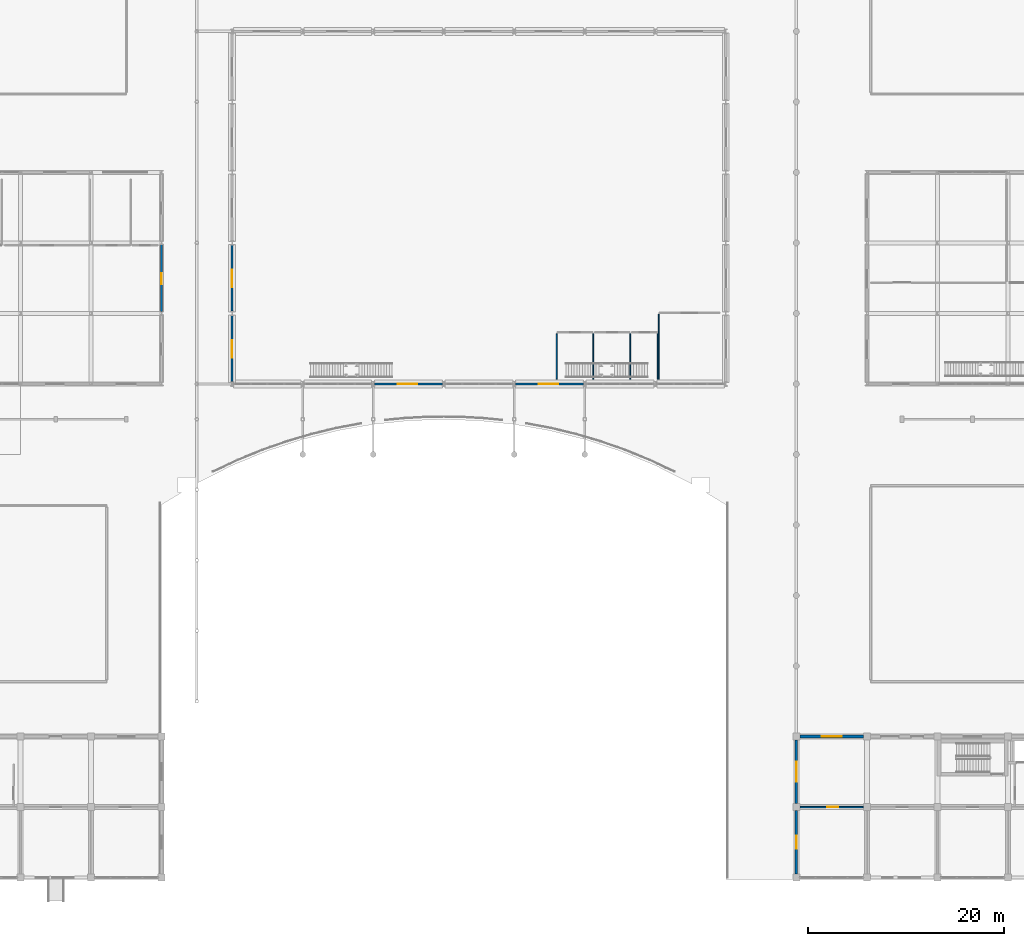
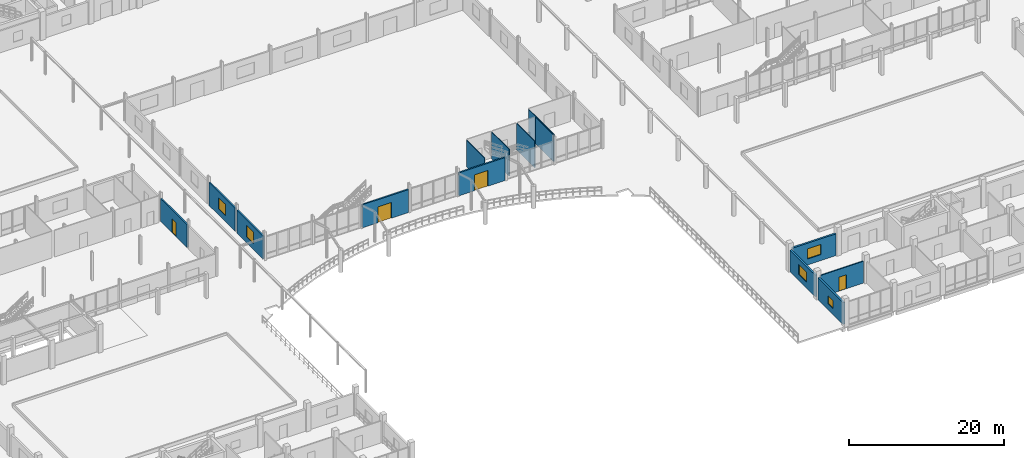
# One storey, part 113 of 139: 14 walls, 5 windows, 4 doors, 9 openings.
"""IFC4 building model written with IfcOpenShell, lengths in metres."""

from ifc_helpers import new_model, si_unit, direction, frame, frame_2d, origin, place, context, subcontext, project, spatial, rectangle, extrude, material, layer, layer_set, type_object, element, fill, save


model = new_model("IFC4")

# Units and contexts
model_context = context("Model", 3, precision=1e-05, world=origin(), true_north=direction((0.0, 1.0)))
body_context = subcontext(model_context, "Body", "Model", "MODEL_VIEW")
ifc_project = project(units=[si_unit("LENGTHUNIT", "METRE"), si_unit("AREAUNIT", "SQUARE_METRE"), si_unit("VOLUMEUNIT", "CUBIC_METRE"), si_unit("PLANEANGLEUNIT", "RADIAN"), si_unit("MASSUNIT", "GRAM", prefix="KILO")], contexts=[model_context])

# Site, building, storey
site_placement = place(None, origin())
site = spatial("IfcSite", under=ifc_project, at=site_placement, CompositionType="ELEMENT")
building_placement = place(site_placement, origin())
building = spatial("IfcBuilding", under=site, at=building_placement, Name="Suanplinth Sawtooth Commons", CompositionType="ELEMENT")
storey_placement = place(building_placement, origin())
storey = spatial("IfcBuildingStorey", under=building, at=storey_placement, Name="L00", CompositionType="ELEMENT", Elevation=0.0)

# Wall, opening, window
ifc_material_1 = material(Name="Precast concrete C40/50", Category="concrete")
ifc_layer_1 = layer(ifc_material_1, 0.280029296875, Name="Insulated precast architectural facade wall 280mm")
ifc_layer_set_1 = layer_set([ifc_layer_1], Name="Precast concrete C40/50")
wall_type_1 = type_object("IfcWallType", Name="W-EX01", PredefinedType="ELEMENTEDWALL", material=ifc_layer_set_1)
wall_1_placement = place(storey_placement, frame((122.39990234375, 0.35009765625, 0.0), z_axis=(0.0, 0.0, 1.0), x_axis=(0.0, 1.0, 0.0)))
wall_1 = element("IfcWall", 1, at=wall_1_placement, inside=storey, type_object=wall_type_1, Name="Facade Wall W-L00-C-W-17-0", PredefinedType="ELEMENTEDWALL", context=body_context, shape_type="SweptSolid", body=[
    extrude(rectangle(XDim=6.5, YDim=0.280029296875, at=frame_2d((3.25, 0.0))), origin(), (0.0, 0.0, 1.0), 3.43505859375),
])
opening_1_placement = place(wall_1_placement, frame((2.60009765625, 0.0, 0.949951171875)))
opening_1 = element("IfcOpeningElement", 2, at=opening_1_placement, cuts=wall_1, Name="Opening W0122", PredefinedType="OPENING", context=body_context, shape_type="SweptSolid", body=[
    extrude(rectangle(XDim=1.300048828125, YDim=1.25, at=frame_2d((0.64990234375, 0.625))), frame((0.0, 0.15478515625, 0.0), z_axis=(0.0, -1.0, 0.0), x_axis=(1.0, 0.0, 0.0)), (0.0, 0.0, 1.0), 0.309814453125),
])
ifc_material_2 = material(Name="Thermally broken aluminium and low-E double glazing", Category="aluminium")
window_type_1 = type_object("IfcWindowType", Name="WN-24", PartitioningType="SINGLE_PANEL", PredefinedType="WINDOW", material=ifc_material_2)
window_1_placement = place(opening_1_placement, origin())
window_1 = element("IfcWindow", 3, at=window_1_placement, inside=storey, type_object=window_type_1, Name="Window L00-C-W-17-0", OverallHeight=1.25, OverallWidth=1.300048828125, PartitioningType="SINGLE_PANEL", PredefinedType="WINDOW", context=body_context, shape_type="SweptSolid", body=[
    extrude(rectangle(XDim=1.300048828125, YDim=1.25, at=frame_2d((0.64990234375, 0.625))), frame((0.0, 0.030029296875, 0.0), z_axis=(0.0, -1.0, 0.0), x_axis=(1.0, 0.0, 0.0)), (0.0, 0.0, 1.0), 0.06005859375),
])
fill(opening_1, window_1)

wall_2_placement = place(storey_placement, frame((122.75, 14.39990234375, 0.0), z_axis=(0.0, 0.0, 1.0), x_axis=(1.0, 0.0, 0.0)))
wall_2 = element("IfcWall", 4, at=wall_2_placement, inside=storey, type_object=wall_type_1, Name="Facade Wall W-L00-C-N-17-1", PredefinedType="ELEMENTEDWALL", context=body_context, shape_type="SweptSolid", body=[
    extrude(rectangle(XDim=6.5, YDim=0.280029296875, at=frame_2d((3.25, 0.0))), origin(), (0.0, 0.0, 1.0), 3.43505859375),
])
opening_2_placement = place(wall_2_placement, frame((2.22509765625, 0.0, 0.949951171875)))
opening_2 = element("IfcOpeningElement", 5, at=opening_2_placement, cuts=wall_2, Name="Opening W0123", PredefinedType="OPENING", context=body_context, shape_type="SweptSolid", body=[
    extrude(rectangle(XDim=2.050048828125, YDim=1.60009765625, at=frame_2d((1.02490234375, 0.800048828125))), frame((0.0, 0.15478515625, 0.0), z_axis=(0.0, -1.0, 0.0), x_axis=(1.0, 0.0, 0.0)), (0.0, 0.0, 1.0), 0.309814453125),
])
window_type_2 = type_object("IfcWindowType", Name="WN-25", PartitioningType="DOUBLE_PANEL_VERTICAL", PredefinedType="WINDOW", material=ifc_material_2)
window_2_placement = place(opening_2_placement, origin())
window_2 = element("IfcWindow", 6, at=window_2_placement, inside=storey, type_object=window_type_2, Name="Window L00-C-N-17-1", OverallHeight=1.60009765625, OverallWidth=2.050048828125, PartitioningType="DOUBLE_PANEL_VERTICAL", PredefinedType="WINDOW", context=body_context, shape_type="SweptSolid", body=[
    extrude(rectangle(XDim=2.050048828125, YDim=1.60009765625, at=frame_2d((1.02490234375, 0.800048828125))), frame((0.0, 0.030029296875, 0.0), z_axis=(0.0, -1.0, 0.0), x_axis=(1.0, 0.0, 0.0)), (0.0, 0.0, 1.0), 0.06005859375),
])
fill(opening_2, window_2)

wall_3_placement = place(storey_placement, frame((122.39990234375, 7.550048828125, 0.0), z_axis=(0.0, 0.0, 1.0), x_axis=(0.0, 1.0, 0.0)))
wall_3 = element("IfcWall", 7, at=wall_3_placement, inside=storey, type_object=wall_type_1, Name="Facade Wall W-L00-C-W-17-1", PredefinedType="ELEMENTEDWALL", context=body_context, shape_type="SweptSolid", body=[
    extrude(rectangle(XDim=6.5, YDim=0.280029296875, at=frame_2d((3.25, 0.0))), origin(), (0.0, 0.0, 1.0), 3.43505859375),
])
opening_3_placement = place(wall_3_placement, frame((2.22509765625, 0.0, 0.949951171875)))
opening_3 = element("IfcOpeningElement", 8, at=opening_3_placement, cuts=wall_3, Name="Opening W0124", PredefinedType="OPENING", context=body_context, shape_type="SweptSolid", body=[
    extrude(rectangle(XDim=2.050048828125, YDim=1.60009765625, at=frame_2d((1.02490234375, 0.800048828125))), frame((0.0, 0.15478515625, 0.0), z_axis=(0.0, -1.0, 0.0), x_axis=(1.0, 0.0, 0.0)), (0.0, 0.0, 1.0), 0.309814453125),
])
window_3_placement = place(opening_3_placement, origin())
window_3 = element("IfcWindow", 9, at=window_3_placement, inside=storey, type_object=window_type_2, Name="Window L00-C-W-17-1", OverallHeight=1.60009765625, OverallWidth=2.050048828125, PartitioningType="DOUBLE_PANEL_VERTICAL", PredefinedType="WINDOW", context=body_context, shape_type="SweptSolid", body=[
    extrude(rectangle(XDim=2.050048828125, YDim=1.60009765625, at=frame_2d((1.02490234375, 0.800048828125))), frame((0.0, 0.030029296875, 0.0), z_axis=(0.0, -1.0, 0.0), x_axis=(1.0, 0.0, 0.0)), (0.0, 0.0, 1.0), 0.06005859375),
])
fill(opening_3, window_3)

# Wall, opening, door
ifc_layer_2 = layer(ifc_material_1, 0.219970703125, Name="Civic pavilion insulated facade wall 220mm")
ifc_layer_set_2 = layer_set([ifc_layer_2], Name="Precast concrete C40/50")
wall_type_2 = type_object("IfcWallType", Name="W-EX05", PredefinedType="ELEMENTEDWALL", material=ifc_layer_set_2)
wall_4_placement = place(storey_placement, frame((79.35009765625, 50.39990234375, 0.0), z_axis=(0.0, 0.0, 1.0), x_axis=(1.0, 0.0, 0.0)))
wall_4 = element("IfcWall", 10, at=wall_4_placement, inside=storey, type_object=wall_type_2, Name="Hall South Entrance Portal 2", PredefinedType="ELEMENTEDWALL", context=body_context, shape_type="SweptSolid", body=[
    extrude(rectangle(XDim=6.89990234375, YDim=0.219970703125, at=frame_2d((3.449951171875, 0.0))), origin(), (0.0, 0.0, 1.0), 3.635009765625),
])
opening_4_placement = place(wall_4_placement, frame((2.35009765625, 0.0, 0.0)))
opening_4 = element("IfcOpeningElement", 11, at=opening_4_placement, cuts=wall_4, Name="Opening ED0006", PredefinedType="OPENING", context=body_context, shape_type="SweptSolid", body=[
    extrude(rectangle(XDim=2.0, YDim=2.5, at=frame_2d((1.0, 1.25))), frame((0.0, 0.125, 0.0), z_axis=(0.0, -1.0, 0.0), x_axis=(1.0, 0.0, 0.0)), (0.0, 0.0, 1.0), 0.249755859375),
])
ifc_material_3 = material(Name="Anodized aluminium and laminated glass", Category="aluminium")
door_type_1 = type_object("IfcDoorType", Name="ED-02", OperationType="DOUBLE_DOOR_SINGLE_SWING", PredefinedType="DOOR", material=ifc_material_3)
door_1_placement = place(opening_4_placement, frame((2.0, 0.0, 0.0), z_axis=(0.0, 0.0, 1.0), x_axis=(-1.0, 0.0, 0.0)))
door_1 = element("IfcDoor", 12, at=door_1_placement, inside=storey, type_object=door_type_1, Name="Community Hall Civic Entrance 2", OperationType="DOUBLE_DOOR_SINGLE_SWING", OverallHeight=2.5, OverallWidth=2.0, PredefinedType="DOOR", context=body_context, shape_type="SweptSolid", body=[
    extrude(rectangle(XDim=2.0, YDim=2.5, at=frame_2d((1.0, 1.25))), frame((0.0, 0.02490234375, 0.0), z_axis=(0.0, -1.0, 0.0), x_axis=(1.0, 0.0, 0.0)), (0.0, 0.0, 1.0), 0.050048828125),
])
fill(opening_4, door_1)

wall_5_placement = place(storey_placement, frame((93.75, 50.39990234375, 0.0), z_axis=(0.0, 0.0, 1.0), x_axis=(1.0, 0.0, 0.0)))
wall_5 = element("IfcWall", 13, at=wall_5_placement, inside=storey, type_object=wall_type_2, Name="Hall South Entrance Portal 4", PredefinedType="ELEMENTEDWALL", context=body_context, shape_type="SweptSolid", body=[
    extrude(rectangle(XDim=6.89990234375, YDim=0.219970703125, at=frame_2d((3.449951171875, 0.0))), origin(), (0.0, 0.0, 1.0), 3.635009765625),
])
opening_5_placement = place(wall_5_placement, frame((2.35009765625, 0.0, 0.0)))
opening_5 = element("IfcOpeningElement", 14, at=opening_5_placement, cuts=wall_5, Name="Opening ED0007", PredefinedType="OPENING", context=body_context, shape_type="SweptSolid", body=[
    extrude(rectangle(XDim=2.0, YDim=2.5, at=frame_2d((1.0, 1.25))), frame((0.0, 0.125, 0.0), z_axis=(0.0, -1.0, 0.0), x_axis=(1.0, 0.0, 0.0)), (0.0, 0.0, 1.0), 0.249755859375),
])
door_2_placement = place(opening_5_placement, frame((2.0, 0.0, 0.0), z_axis=(0.0, 0.0, 1.0), x_axis=(-1.0, 0.0, 0.0)))
door_2 = element("IfcDoor", 15, at=door_2_placement, inside=storey, type_object=door_type_1, Name="Community Hall Civic Entrance 4", OperationType="DOUBLE_DOOR_SINGLE_SWING", OverallHeight=2.5, OverallWidth=2.0, PredefinedType="DOOR", context=body_context, shape_type="SweptSolid", body=[
    extrude(rectangle(XDim=2.0, YDim=2.5, at=frame_2d((1.0, 1.25))), frame((0.0, 0.02490234375, 0.0), z_axis=(0.0, -1.0, 0.0), x_axis=(1.0, 0.0, 0.0)), (0.0, 0.0, 1.0), 0.050048828125),
])
fill(opening_5, door_2)

# Wall, opening, window
wall_6_placement = place(storey_placement, frame((64.800048828125, 50.625, 0.0), z_axis=(0.0, 0.0, 1.0), x_axis=(0.0, 1.0, 0.0)))
wall_6 = element("IfcWall", 16, at=wall_6_placement, inside=storey, type_object=wall_type_2, Name="Hall W Wall L00-7", PredefinedType="ELEMENTEDWALL", context=body_context, shape_type="SweptSolid", body=[
    extrude(rectangle(XDim=6.75, YDim=0.219970703125, at=frame_2d((3.375, 0.0))), origin(), (0.0, 0.0, 1.0), 3.635009765625),
])
opening_6_placement = place(wall_6_placement, frame((2.449951171875, 0.0, 0.949951171875)))
opening_6 = element("IfcOpeningElement", 17, at=opening_6_placement, cuts=wall_6, Name="Opening W0006", PredefinedType="OPENING", context=body_context, shape_type="SweptSolid", body=[
    extrude(rectangle(XDim=1.800048828125, YDim=1.800048828125, at=frame_2d((0.89990234375, 0.89990234375))), frame((0.0, 0.125, 0.0), z_axis=(0.0, -1.0, 0.0), x_axis=(1.0, 0.0, 0.0)), (0.0, 0.0, 1.0), 0.249755859375),
])
window_type_3 = type_object("IfcWindowType", Name="WN-07", PartitioningType="DOUBLE_PANEL_VERTICAL", PredefinedType="WINDOW", material=ifc_material_2)
window_4_placement = place(opening_6_placement, origin())
window_4 = element("IfcWindow", 18, at=window_4_placement, inside=storey, type_object=window_type_3, Name="Hall W Window L00-7", OverallHeight=1.800048828125, OverallWidth=1.800048828125, PartitioningType="DOUBLE_PANEL_VERTICAL", PredefinedType="WINDOW", context=body_context, shape_type="SweptSolid", body=[
    extrude(rectangle(XDim=1.800048828125, YDim=1.800048828125, at=frame_2d((0.89990234375, 0.89990234375))), frame((0.0, 0.030029296875, 0.0), z_axis=(0.0, -1.0, 0.0), x_axis=(1.0, 0.0, 0.0)), (0.0, 0.0, 1.0), 0.06005859375),
])
fill(opening_6, window_4)

wall_7_placement = place(storey_placement, frame((64.800048828125, 57.824951171875, 0.0), z_axis=(0.0, 0.0, 1.0), x_axis=(0.0, 1.0, 0.0)))
wall_7 = element("IfcWall", 19, at=wall_7_placement, inside=storey, type_object=wall_type_2, Name="Hall W Wall L00-8", PredefinedType="ELEMENTEDWALL", context=body_context, shape_type="SweptSolid", body=[
    extrude(rectangle(XDim=6.75, YDim=0.219970703125, at=frame_2d((3.375, 0.0))), origin(), (0.0, 0.0, 1.0), 3.635009765625),
])
opening_7_placement = place(wall_7_placement, frame((2.449951171875, 0.0, 0.949951171875)))
opening_7 = element("IfcOpeningElement", 20, at=opening_7_placement, cuts=wall_7, Name="Opening W0010", PredefinedType="OPENING", context=body_context, shape_type="SweptSolid", body=[
    extrude(rectangle(XDim=1.800048828125, YDim=1.800048828125, at=frame_2d((0.89990234375, 0.89990234375))), frame((0.0, 0.125, 0.0), z_axis=(0.0, -1.0, 0.0), x_axis=(1.0, 0.0, 0.0)), (0.0, 0.0, 1.0), 0.249755859375),
])
window_5_placement = place(opening_7_placement, origin())
window_5 = element("IfcWindow", 21, at=window_5_placement, inside=storey, type_object=window_type_3, Name="Hall W Window L00-8", OverallHeight=1.800048828125, OverallWidth=1.800048828125, PartitioningType="DOUBLE_PANEL_VERTICAL", PredefinedType="WINDOW", context=body_context, shape_type="SweptSolid", body=[
    extrude(rectangle(XDim=1.800048828125, YDim=1.800048828125, at=frame_2d((0.89990234375, 0.89990234375))), frame((0.0, 0.030029296875, 0.0), z_axis=(0.0, -1.0, 0.0), x_axis=(1.0, 0.0, 0.0)), (0.0, 0.0, 1.0), 0.06005859375),
])
fill(opening_7, window_5)

# Wall, opening, door
wall_8_placement = place(storey_placement, frame((57.60009765625, 57.780029296875, 0.0), z_axis=(0.0, 0.0, 1.0), x_axis=(0.0, 1.0, 0.0)))
wall_8 = element("IfcWall", 22, at=wall_8_placement, inside=storey, type_object=wall_type_2, Name="Market E Wall L00-8", PredefinedType="ELEMENTEDWALL", context=body_context, shape_type="SweptSolid", body=[
    extrude(rectangle(XDim=6.840087890625, YDim=0.219970703125, at=frame_2d((3.419921875, 0.0))), origin(), (0.0, 0.0, 1.0), 3.5849609375),
])
opening_8_placement = place(wall_8_placement, frame((2.800048828125, 0.0, 0.0)))
opening_8 = element("IfcOpeningElement", 23, at=opening_8_placement, cuts=wall_8, Name="Opening ED0018", PredefinedType="OPENING", context=body_context, shape_type="SweptSolid", body=[
    extrude(rectangle(XDim=1.10009765625, YDim=2.199951171875, at=frame_2d((0.550048828125, 1.10009765625))), frame((0.0, 0.125, 0.0), z_axis=(0.0, -1.0, 0.0), x_axis=(1.0, 0.0, 0.0)), (0.0, 0.0, 1.0), 0.249755859375),
])
ifc_material_4 = material(Name="Anodized aluminium and clear glass", Category="aluminium")
door_type_2 = type_object("IfcDoorType", Name="ED-06", OperationType="NOTDEFINED", PredefinedType="DOOR", material=ifc_material_4)
door_3_placement = place(opening_8_placement, frame((1.10009765625, 0.0, 0.0), z_axis=(0.0, 0.0, 1.0), x_axis=(-1.0, 0.0, 0.0)))
door_3 = element("IfcDoor", 24, at=door_3_placement, inside=storey, type_object=door_type_2, Name="Market East Arcade Shopfront Door 8", OperationType="SINGLE_SWING_LEFT", OverallHeight=2.199951171875, OverallWidth=1.10009765625, PredefinedType="DOOR", context=body_context, shape_type="SweptSolid", body=[
    extrude(rectangle(XDim=1.10009765625, YDim=2.199951171875, at=frame_2d((0.550048828125, 1.10009765625))), frame((0.0, 0.02490234375, 0.0), z_axis=(0.0, -1.0, 0.0), x_axis=(1.0, 0.0, 0.0)), (0.0, 0.0, 1.0), 0.050048828125),
])
fill(opening_8, door_3)

ifc_layer_3 = layer(ifc_material_1, 0.159912109375, Name="Fire-rated corridor and lobby wall 160mm")
ifc_layer_set_3 = layer_set([ifc_layer_3], Name="Precast concrete C40/50")
wall_type_3 = type_object("IfcWallType", Name="W-FW01", PredefinedType="PARTITIONING", material=ifc_layer_set_3)
wall_9_placement = place(storey_placement, frame((122.780029296875, 7.199951171875, 0.0), z_axis=(0.0, 0.0, 1.0), x_axis=(1.0, 0.0, 0.0)))
wall_9 = element("IfcWall", 25, at=wall_9_placement, inside=storey, type_object=wall_type_3, Name="W-C-L00-GROUNDROOM-29-COR", PredefinedType="PARTITIONING", context=body_context, shape_type="SweptSolid", body=[
    extrude(rectangle(XDim=6.43994140625, YDim=0.159912109375, at=frame_2d((3.219970703125, 0.0))), origin(), (0.0, 0.0, 1.0), 3.43505859375),
])
opening_9_placement = place(wall_9_placement, frame((2.760009765625, 0.0, 0.0)))
opening_9 = element("IfcOpeningElement", 26, at=opening_9_placement, cuts=wall_9, Name="Opening D0499", PredefinedType="OPENING", context=body_context, shape_type="SweptSolid", body=[
    extrude(rectangle(XDim=1.1201171875, YDim=2.199951171875, at=frame_2d((0.56005859375, 1.10009765625))), frame((0.0, 0.0947265625, 0.0), z_axis=(0.0, -1.0, 0.0), x_axis=(1.0, 0.0, 0.0)), (0.0, 0.0, 1.0), 0.189697265625),
])
ifc_material_5 = material(Name="Teak hardwood", Category="wood")
door_type_3 = type_object("IfcDoorType", Name="D-18", OperationType="NOTDEFINED", PredefinedType="DOOR", material=ifc_material_5)
door_4_placement = place(opening_9_placement, frame((1.1201171875, 0.0, 0.0), z_axis=(0.0, 0.0, 1.0), x_axis=(-1.0, 0.0, 0.0)))
door_4 = element("IfcDoor", 27, at=door_4_placement, inside=storey, type_object=door_type_3, Name="Unit Entrance Door D0499", OperationType="SINGLE_SWING_LEFT", OverallHeight=2.199951171875, OverallWidth=1.1201171875, PredefinedType="DOOR", context=body_context, shape_type="SweptSolid", body=[
    extrude(rectangle(XDim=1.1201171875, YDim=2.199951171875, at=frame_2d((0.56005859375, 1.10009765625))), frame((0.0, 0.02490234375, 0.0), z_axis=(0.0, -1.0, 0.0), x_axis=(1.0, 0.0, 0.0)), (0.0, 0.0, 1.0), 0.050048828125),
])
fill(opening_9, door_4)

# Walls
ifc_material_6 = material(Name="Gypsum plasterboard on steel stud", Category="steel")
ifc_layer_4 = layer(ifc_material_6, 0.110107421875, Name="Civic classroom and clinic partition 110mm")
ifc_layer_set_4 = layer_set([ifc_layer_4], Name="Gypsum plasterboard on steel stud")
wall_type_4 = type_object("IfcWallType", Name="W-PT04", PredefinedType="PARTITIONING", material=ifc_layer_set_4)
for number, where, z_axis, x_axis, name in (
    (28, (97.93994140625, 50.8798828125, 0.0), (0.0, 0.0, 1.0), (0.0, 1.0, 0.0), "W-L00-HALL-WCM-W"),
    (29, (101.659912109375, 50.8798828125, 0.0), (0.0, 0.0, 1.0), (0.0, 1.0, 0.0), "W-L00-HALL-WCM-E"),
    (30, (105.4599609375, 50.8798828125, 0.0), (0.0, 0.0, 1.0), (0.0, 1.0, 0.0), "W-L00-HALL-WCF-E"),
    (31, (108.260009765625, 50.8798828125, 0.0), (0.0, 0.0, 1.0), (0.0, 1.0, 0.0), "W-L00-HALL-WCACC-E"),
):
    element("IfcWall", number, at=place(storey_placement, frame(where, z_axis=z_axis, x_axis=x_axis)), inside=storey, type_object=wall_type_4, Name=name, PredefinedType="PARTITIONING", context=body_context, shape_type="SweptSolid", body=[
        extrude(rectangle(XDim=4.64013671875, YDim=0.110107421875, at=frame_2d((2.320068359375, 0.0))), origin(), (0.0, 0.0, 1.0), 4.199951171875),
    ])
wall_10_placement = place(storey_placement, frame((108.340087890625, 50.8798828125, 0.0), z_axis=(0.0, 0.0, 1.0), x_axis=(0.0, 1.0, 0.0)))
element("IfcWall", 32, at=wall_10_placement, inside=storey, type_object=wall_type_4, Name="W-L00-HALL-AV-W", PredefinedType="PARTITIONING", context=body_context, shape_type="SweptSolid", body=[
    extrude(rectangle(XDim=6.64013671875, YDim=0.110107421875, at=frame_2d((3.320068359375, 0.0))), origin(), (0.0, 0.0, 1.0), 4.199951171875),
])

save(model, "model.ifc")
